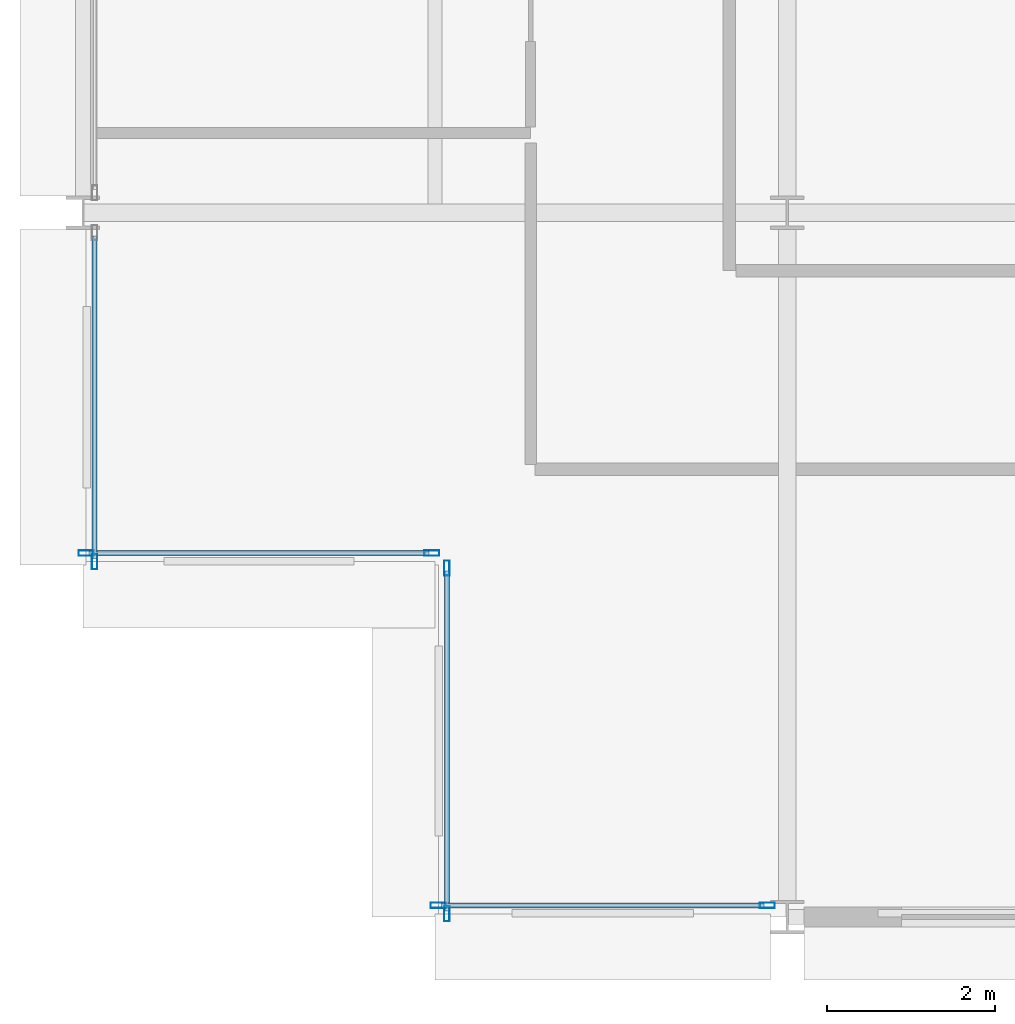
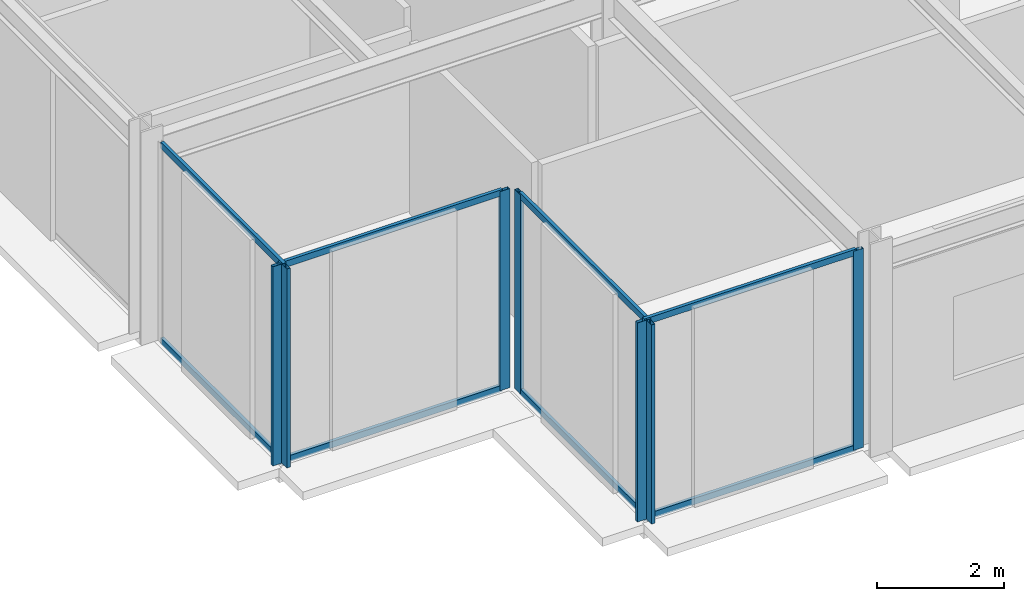
# One storey, part 2 of 30: 15 members, 4 elements without a shape of their own.
"""IFC4 building model written with IfcOpenShell, lengths in metres."""

from ifc_helpers import new_model, si_unit, direction, frame, origin, origin_2d, place, context, subcontext, project, spatial, hollow_rectangle, extrude, material, layer, layer_set, material_profile, profile_set, type_object, element, aggregate, save


model = new_model("IFC4")

# Units and contexts
model_context = context("Model", 3, precision=1e-05, world=origin(), true_north=direction((0.0, 1.0)))
body_context = subcontext(model_context, "Body", "Model", "MODEL_VIEW")
ifc_project = project(units=[si_unit("LENGTHUNIT", "METRE"), si_unit("AREAUNIT", "SQUARE_METRE"), si_unit("VOLUMEUNIT", "CUBIC_METRE"), si_unit("PLANEANGLEUNIT", "RADIAN"), si_unit("MASSUNIT", "GRAM", prefix="KILO")], contexts=[model_context])

# Site, building, storey
site_placement = place(None, origin())
site = spatial("IfcSite", under=ifc_project, at=site_placement, CompositionType="ELEMENT")
building_placement = place(site_placement, origin())
building = spatial("IfcBuilding", under=site, at=building_placement, Name="Nerrivon Quay Data Exchange", CompositionType="ELEMENT")
storey_placement = place(building_placement, frame((0.0, 0.0, 141.800048828125)))
storey = spatial("IfcBuildingStorey", under=building, at=storey_placement, Name="L33", CompositionType="ELEMENT", Elevation=141.800048828125)

# Curtain wall, members
ifc_material = material(Name="Anodised aluminium 6063-T6", Category="aluminium")
ifc_layer = layer(ifc_material, 0.2099609375)
ifc_layer_set = layer_set([ifc_layer], Name="Anodised aluminium 6063-T6")
curtain_wall_type = type_object("IfcCurtainWallType", Name="CW-SYS-02", PredefinedType="NOTDEFINED", material=ifc_layer_set)
curtain_wall_1_placement = place(storey_placement, origin())
curtain_wall_1 = element("IfcCurtainWall", 1, at=curtain_wall_1_placement, inside=storey, type_object=curtain_wall_type, Name="L33 Unitised Curtain Wall 8", PredefinedType="NOTDEFINED")
ifc_material_profile_1 = material_profile(ifc_material, hollow_rectangle(XDim=0.06494140625, YDim=0.179931640625, WallThickness=0.00341796875, at=origin_2d()), Name="ALU-MULL-180x65")
ifc_profile_set_1 = profile_set([ifc_material_profile_1], Name="Anodised aluminium 6063-T6")
member_type_1 = type_object("IfcMemberType", Name="CWM-180x65", PredefinedType="MULLION", material=ifc_profile_set_1)
member_1_placement = place(storey_placement, frame((8.16259765625, 0.139892578125, 0.0), z_axis=(0.0, 0.0, 1.0), x_axis=(0.0, -1.0, 0.0)))
member_1 = element("IfcMember", 2, at=member_1_placement, type_object=member_type_1, Name="CW02 mullion 1", PredefinedType="MULLION", context=body_context, shape_type="SweptSolid", body=[
    extrude(hollow_rectangle(XDim=0.06494140625, YDim=0.179931640625, WallThickness=0.00341796875, at=origin_2d()), origin(), (0.0, 0.0, 1.0), 3.824951171875),
])
member_2_placement = place(storey_placement, frame((4.237548828125, 0.139892578125, 0.0), z_axis=(0.0, 0.0, 1.0), x_axis=(0.0, -1.0, 0.0)))
member_2 = element("IfcMember", 3, at=member_2_placement, type_object=member_type_1, Name="CW02 mullion 2", PredefinedType="MULLION", context=body_context, shape_type="SweptSolid", body=[
    extrude(hollow_rectangle(XDim=0.06494140625, YDim=0.179931640625, WallThickness=0.00341796875, at=origin_2d()), origin(), (0.0, 0.0, 1.0), 3.824951171875),
])

curtain_wall_2_placement = place(storey_placement, origin())
curtain_wall_2 = element("IfcCurtainWall", 4, at=curtain_wall_2_placement, inside=storey, type_object=curtain_wall_type, Name="L33 Unitised Curtain Wall 9", PredefinedType="NOTDEFINED")
member_3_placement = place(storey_placement, frame((4.340087890625, 0.03759765625, 0.0), z_axis=(0.0, 0.0, 1.0), x_axis=(-1.0, 0.0, 0.0)))
member_3 = element("IfcMember", 5, at=member_3_placement, type_object=member_type_1, Name="CW02 mullion 1", PredefinedType="MULLION", context=body_context, shape_type="SweptSolid", body=[
    extrude(hollow_rectangle(XDim=0.06494140625, YDim=0.179931640625, WallThickness=0.00341796875, at=origin_2d()), origin(), (0.0, 0.0, 1.0), 3.824951171875),
])
member_4_placement = place(storey_placement, frame((4.340087890625, 4.16259765625, 0.0), z_axis=(0.0, 0.0, 1.0), x_axis=(-1.0, 0.0, 0.0)))
member_4 = element("IfcMember", 6, at=member_4_placement, type_object=member_type_1, Name="CW02 mullion 2", PredefinedType="MULLION", context=body_context, shape_type="SweptSolid", body=[
    extrude(hollow_rectangle(XDim=0.06494140625, YDim=0.179931640625, WallThickness=0.00341796875, at=origin_2d()), origin(), (0.0, 0.0, 1.0), 3.824951171875),
])

curtain_wall_3_placement = place(storey_placement, origin())
curtain_wall_3 = element("IfcCurtainWall", 7, at=curtain_wall_3_placement, inside=storey, type_object=curtain_wall_type, Name="L33 Unitised Curtain Wall 10", PredefinedType="NOTDEFINED")
member_5_placement = place(storey_placement, frame((4.16259765625, 4.340087890625, 0.0), z_axis=(0.0, 0.0, 1.0), x_axis=(0.0, -1.0, 0.0)))
member_5 = element("IfcMember", 8, at=member_5_placement, type_object=member_type_1, Name="CW02 mullion 1", PredefinedType="MULLION", context=body_context, shape_type="SweptSolid", body=[
    extrude(hollow_rectangle(XDim=0.06494140625, YDim=0.179931640625, WallThickness=0.00341796875, at=origin_2d()), origin(), (0.0, 0.0, 1.0), 3.824951171875),
])
member_6_placement = place(storey_placement, frame((0.03759765625, 4.340087890625, 0.0), z_axis=(0.0, 0.0, 1.0), x_axis=(0.0, -1.0, 0.0)))
member_6 = element("IfcMember", 9, at=member_6_placement, type_object=member_type_1, Name="CW02 mullion 2", PredefinedType="MULLION", context=body_context, shape_type="SweptSolid", body=[
    extrude(hollow_rectangle(XDim=0.06494140625, YDim=0.179931640625, WallThickness=0.00341796875, at=origin_2d()), origin(), (0.0, 0.0, 1.0), 3.824951171875),
])

# Curtain wall, member
curtain_wall_4_placement = place(storey_placement, origin())
curtain_wall_4 = element("IfcCurtainWall", 10, at=curtain_wall_4_placement, inside=storey, type_object=curtain_wall_type, Name="L33 Unitised Curtain Wall 11", PredefinedType="NOTDEFINED")
member_7_placement = place(storey_placement, frame((0.139892578125, 4.237548828125, 0.0), z_axis=(0.0, 0.0, 1.0), x_axis=(-1.0, 0.0, 0.0)))
member_7 = element("IfcMember", 11, at=member_7_placement, type_object=member_type_1, Name="CW02 mullion 1", PredefinedType="MULLION", context=body_context, shape_type="SweptSolid", body=[
    extrude(hollow_rectangle(XDim=0.06494140625, YDim=0.179931640625, WallThickness=0.00341796875, at=origin_2d()), origin(), (0.0, 0.0, 1.0), 3.824951171875),
])

# Member
ifc_material_profile_2 = material_profile(ifc_material, hollow_rectangle(XDim=0.06005859375, YDim=0.1201171875, WallThickness=0.003173828125, at=origin_2d()), Name="ALU-TRAN-120x60")
ifc_profile_set_2 = profile_set([ifc_material_profile_2], Name="Anodised aluminium 6063-T6")
member_type_2 = type_object("IfcMemberType", Name="CWT-120x60", PredefinedType="USERDEFINED", material=ifc_profile_set_2)
member_8_placement = place(storey_placement, frame((8.125, 0.139892578125, 0.032470703125), z_axis=(-1.0, 0.0, 0.0), x_axis=(0.0, -1.0, 0.0)))
member_8 = element("IfcMember", 12, at=member_8_placement, type_object=member_type_2, Name="CW02 transom 1.1", ObjectType="TRANSOM", PredefinedType="USERDEFINED", context=body_context, shape_type="SweptSolid", body=[
    extrude(hollow_rectangle(XDim=0.06005859375, YDim=0.1201171875, WallThickness=0.003173828125, at=origin_2d()), origin(), (0.0, 0.0, 1.0), 3.85009765625),
])

member_9_placement = place(storey_placement, frame((8.125, 0.139892578125, 3.79248046875), z_axis=(-1.0, 0.0, 0.0), x_axis=(0.0, -1.0, 0.0)))
member_9 = element("IfcMember", 13, at=member_9_placement, type_object=member_type_2, Name="CW02 transom 1.2", ObjectType="TRANSOM", PredefinedType="USERDEFINED", context=body_context, shape_type="SweptSolid", body=[
    extrude(hollow_rectangle(XDim=0.06005859375, YDim=0.1201171875, WallThickness=0.003173828125, at=origin_2d()), origin(), (0.0, 0.0, 1.0), 3.85009765625),
])

aggregate(curtain_wall_1, [member_1, member_2, member_8, member_9])

member_10_placement = place(storey_placement, frame((4.340087890625, 0.074951171875, 0.032470703125), z_axis=(0.0, 1.0, 0.0), x_axis=(-1.0, 0.0, 0.0)))
member_10 = element("IfcMember", 14, at=member_10_placement, type_object=member_type_2, Name="CW02 transom 1.1", ObjectType="TRANSOM", PredefinedType="USERDEFINED", context=body_context, shape_type="SweptSolid", body=[
    extrude(hollow_rectangle(XDim=0.06005859375, YDim=0.1201171875, WallThickness=0.003173828125, at=origin_2d()), origin(), (0.0, 0.0, 1.0), 4.050048828125),
])

member_11_placement = place(storey_placement, frame((4.340087890625, 0.074951171875, 3.79248046875), z_axis=(0.0, 1.0, 0.0), x_axis=(-1.0, 0.0, 0.0)))
member_11 = element("IfcMember", 15, at=member_11_placement, type_object=member_type_2, Name="CW02 transom 1.2", ObjectType="TRANSOM", PredefinedType="USERDEFINED", context=body_context, shape_type="SweptSolid", body=[
    extrude(hollow_rectangle(XDim=0.06005859375, YDim=0.1201171875, WallThickness=0.003173828125, at=origin_2d()), origin(), (0.0, 0.0, 1.0), 4.050048828125),
])

aggregate(curtain_wall_2, [member_3, member_4, member_10, member_11])

member_12_placement = place(storey_placement, frame((4.125, 4.340087890625, 0.032470703125), z_axis=(-1.0, 0.0, 0.0), x_axis=(0.0, -1.0, 0.0)))
member_12 = element("IfcMember", 16, at=member_12_placement, type_object=member_type_2, Name="CW02 transom 1.1", ObjectType="TRANSOM", PredefinedType="USERDEFINED", context=body_context, shape_type="SweptSolid", body=[
    extrude(hollow_rectangle(XDim=0.06005859375, YDim=0.1201171875, WallThickness=0.003173828125, at=origin_2d()), origin(), (0.0, 0.0, 1.0), 4.050048828125),
])

member_13_placement = place(storey_placement, frame((4.125, 4.340087890625, 3.79248046875), z_axis=(-1.0, 0.0, 0.0), x_axis=(0.0, -1.0, 0.0)))
member_13 = element("IfcMember", 17, at=member_13_placement, type_object=member_type_2, Name="CW02 transom 1.2", ObjectType="TRANSOM", PredefinedType="USERDEFINED", context=body_context, shape_type="SweptSolid", body=[
    extrude(hollow_rectangle(XDim=0.06005859375, YDim=0.1201171875, WallThickness=0.003173828125, at=origin_2d()), origin(), (0.0, 0.0, 1.0), 4.050048828125),
])

aggregate(curtain_wall_3, [member_5, member_6, member_12, member_13])

member_14_placement = place(storey_placement, frame((0.139892578125, 4.27490234375, 0.032470703125), z_axis=(0.0, 1.0, 0.0), x_axis=(-1.0, 0.0, 0.0)))
member_14 = element("IfcMember", 18, at=member_14_placement, type_object=member_type_2, Name="CW02 transom 1.1", ObjectType="TRANSOM", PredefinedType="USERDEFINED", context=body_context, shape_type="SweptSolid", body=[
    extrude(hollow_rectangle(XDim=0.06005859375, YDim=0.1201171875, WallThickness=0.003173828125, at=origin_2d()), origin(), (0.0, 0.0, 1.0), 3.85009765625),
])

member_15_placement = place(storey_placement, frame((0.139892578125, 4.27490234375, 3.79248046875), z_axis=(0.0, 1.0, 0.0), x_axis=(-1.0, 0.0, 0.0)))
member_15 = element("IfcMember", 19, at=member_15_placement, type_object=member_type_2, Name="CW02 transom 1.2", ObjectType="TRANSOM", PredefinedType="USERDEFINED", context=body_context, shape_type="SweptSolid", body=[
    extrude(hollow_rectangle(XDim=0.06005859375, YDim=0.1201171875, WallThickness=0.003173828125, at=origin_2d()), origin(), (0.0, 0.0, 1.0), 3.85009765625),
])

aggregate(curtain_wall_4, [member_7, member_14, member_15])

save(model, "model.ifc")
